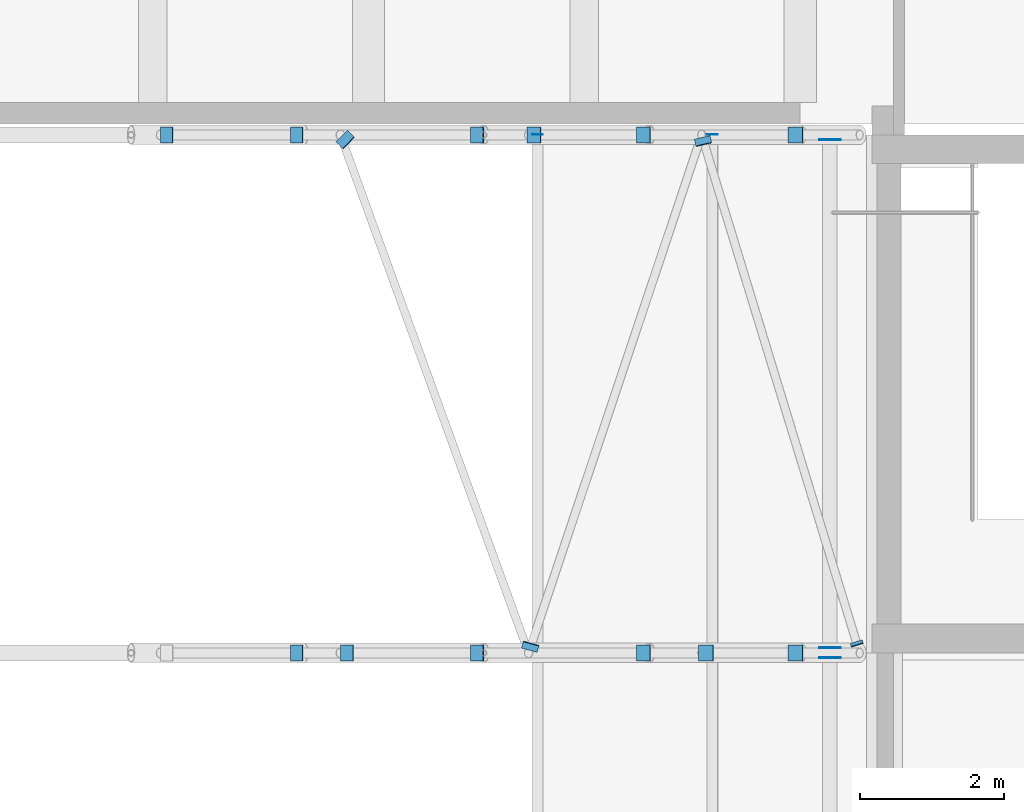
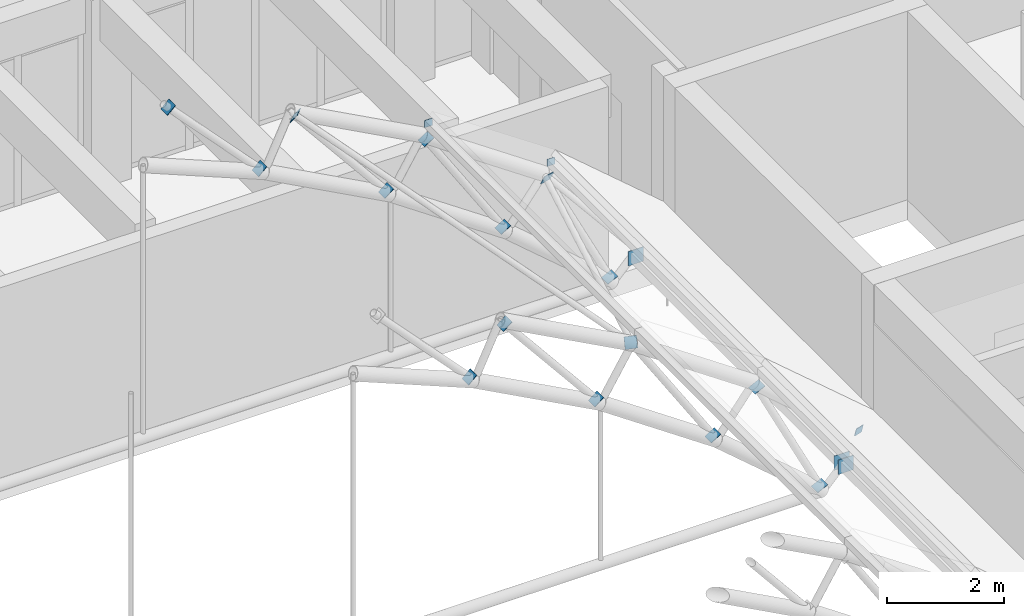
# One storey, part 87 of 101: 21 discrete accessories.
"""IFC4 building model written with IfcOpenShell, lengths in metres."""

from ifc_helpers import new_model, si_unit, direction, frame, origin, origin_2d, place, context, subcontext, project, spatial, rectangle, extrude, material, material_profile, profile_set, type_object, element, save


model = new_model("IFC4")

# Units and contexts
model_context = context("Model", 3, precision=1e-05, world=origin(), true_north=direction((0.0, 1.0)))
body_context = subcontext(model_context, "Body", "Model", "MODEL_VIEW")
ifc_project = project(units=[si_unit("LENGTHUNIT", "METRE"), si_unit("AREAUNIT", "SQUARE_METRE"), si_unit("VOLUMEUNIT", "CUBIC_METRE"), si_unit("PLANEANGLEUNIT", "RADIAN"), si_unit("MASSUNIT", "GRAM", prefix="KILO")], contexts=[model_context])

# Site, building, storey
site_placement = place(None, origin())
site = spatial("IfcSite", under=ifc_project, at=site_placement, CompositionType="ELEMENT")
building_placement = place(site_placement, origin())
building = spatial("IfcBuilding", under=site, at=building_placement, Name="Laocheng Heights Fire and Rescue Headquarters", CompositionType="ELEMENT")
storey_placement = place(building_placement, frame((0.0, 0.0, 8.39990234375)))
storey = spatial("IfcBuildingStorey", under=building, at=storey_placement, Name="L02", CompositionType="ELEMENT", Elevation=8.39990234375)

# Discrete accessories
ifc_material_1 = material(Name="Steel Q355B", Category="steel")
ifc_material_profile_1 = material_profile(ifc_material_1, rectangle(XDim=0.14990234375, YDim=0.14990234375, at=origin_2d()), Name="END CAP PLATE 150 x 150 x 8 FOR BAY ROOF PURLIN SHS 150x150x8")
ifc_profile_set_1 = profile_set([ifc_material_profile_1], Name="Steel Q355B")
discrete_accessory_type_1 = type_object("IfcDiscreteAccessoryType", Name="END CAP PLATE 150 x 150 x 8 FOR BAY ROOF PURLIN SHS 150x150x8", PredefinedType="BRACKET", material=ifc_profile_set_1)
for number, where, z_axis, x_axis, name in (
    (1, (50.35009765625, 21.60009765625, 4.60595703125), (0.0, 1.0, 0.0), (-1.0, 0.0, 0.0), "Cap plate at Purlin 15.3 end 2"),
    (2, (52.778564453125, 21.60009765625, 2.941162109375), (0.0, 1.0, 0.0), (-1.0, 0.0, 0.0), "Cap plate at Purlin 16.3 end 2"),
):
    element("IfcDiscreteAccessory", number, at=place(storey_placement, frame(where, z_axis=z_axis, x_axis=x_axis)), inside=storey, type_object=discrete_accessory_type_1, Name=name, PredefinedType="BRACKET", context=body_context, shape_type="SweptSolid", body=[
        extrude(rectangle(XDim=0.14990234375, YDim=0.14990234375, at=origin_2d()), origin(), (0.0, 0.0, 1.0), 0.0078125),
    ])
ifc_material_2 = material(Name="Steel Q355B, dark grey painted", Category="steel")
ifc_material_profile_2 = material_profile(ifc_material_2, rectangle(XDim=0.175048828125, YDim=0.175048828125, at=origin_2d()), Name="GUSSET PLATE 175 x 175 x 12 FOR BAY ROOF BRACE CHS 114.3x5")
ifc_profile_set_2 = profile_set([ifc_material_profile_2], Name="Steel Q355B, dark grey painted")
discrete_accessory_type_2 = type_object("IfcDiscreteAccessoryType", Name="GUSSET PLATE 175 x 175 x 12 FOR BAY ROOF BRACE CHS 114.3x5", PredefinedType="BRACKET", material=ifc_profile_set_2)
discrete_accessory_1_placement = place(storey_placement, frame((54.7900390625, 14.5244140625, 0.901611328125), z_axis=(-0.287880642403, 0.925330636297, 0.246754836346), x_axis=(-0.954856776331, -0.297066552636, 0.0)))
element("IfcDiscreteAccessory", 3, at=discrete_accessory_1_placement, inside=storey, type_object=discrete_accessory_type_2, Name="End plate at BR32 end 1", PredefinedType="BRACKET", context=body_context, shape_type="SweptSolid", body=[
    extrude(rectangle(XDim=0.175048828125, YDim=0.175048828125, at=origin_2d()), origin(), (0.0, 0.0, 1.0), 0.011962890625),
])
ifc_material_3 = material(Name="Steel Q355B, dark grey painted", Category="steel")
ifc_material_profile_3 = material_profile(ifc_material_3, rectangle(XDim=0.22509765625, YDim=0.22509765625, at=origin_2d()), Name="GUSSET PLATE 225 x 225 x 12 FOR BAY ROOF DIAG CHS 139.7x6")
ifc_profile_set_3 = profile_set([ifc_material_profile_3], Name="Steel Q355B, dark grey painted")
discrete_accessory_type_3 = type_object("IfcDiscreteAccessoryType", Name="GUSSET PLATE 225 x 225 x 12 FOR BAY ROOF DIAG CHS 139.7x6", PredefinedType="BRACKET", material=ifc_profile_set_3)
for number, where, z_axis, x_axis, name in (
    (4, (47.008056640625, 14.39990234375, 4.819580078125), (-0.696785684263, 0.0, 0.717279380859), (0.0, -1.0, 0.0), "End plate at TR3-DG13 end 1"),
    (5, (49.51513671875, 14.39990234375, 3.480712890625), (-0.632126727472, 0.0, 0.774865020772), (0.0, -1.0, 0.0), "End plate at TR3-DG14 end 1"),
    (6, (47.702392578125, 14.39990234375, 5.695068359375), (-0.632126727472, 0.0, 0.774865020772), (0.0, -1.0, 0.0), "End plate at TR3-DG14 end 2"),
    (7, (51.827392578125, 14.39990234375, 1.910888671875), (-0.535542025358, 0.0, 0.84450857845), (0.0, -1.0, 0.0), "End plate at TR3-DG15 end 1"),
    (8, (53.940185546875, 14.39990234375, 0.1201171875), (-0.4472135955, 0.0, 0.894427191), (0.0, -1.0, 0.0), "End plate at TR3-DG16 end 1"),
    (9, (52.696044921875, 14.39990234375, 2.618408203125), (-0.4472135955, 0.0, 0.894427191), (0.0, -1.0, 0.0), "End plate at TR3-DG16 end 2"),
    (10, (47.008056640625, 21.60009765625, 4.819580078125), (-0.696785684263, 0.0, 0.717279380859), (0.0, -1.0, 0.0), "End plate at TR4-DG13 end 1"),
):
    element("IfcDiscreteAccessory", number, at=place(storey_placement, frame(where, z_axis=z_axis, x_axis=x_axis)), inside=storey, type_object=discrete_accessory_type_3, Name=name, PredefinedType="BRACKET", context=body_context, shape_type="SweptSolid", body=[
        extrude(rectangle(XDim=0.22509765625, YDim=0.22509765625, at=origin_2d()), origin(), (0.0, 0.0, 1.0), 0.011962890625),
    ])
discrete_accessory_2_placement = place(storey_placement, frame((45.2001953125, 21.60009765625, 6.73291015625), z_axis=(-0.686623532964, 0.0, 0.72701315255), x_axis=(0.0, -1.0, 0.0)))
element("IfcDiscreteAccessory", 11, at=discrete_accessory_2_placement, inside=storey, type_object=discrete_accessory_type_3, Name="End plate at TR4-DG13 end 2", PredefinedType="BRACKET", context=body_context, shape_type="SweptSolid", body=[
    extrude(rectangle(XDim=0.22509765625, YDim=0.22509765625, at=origin_2d()), origin(), (0.0, 0.0, 1.0), 0.01220703125),
])
for number, where, z_axis, x_axis, name in (
    (12, (49.51513671875, 21.60009765625, 3.480712890625), (-0.632126727472, 0.0, 0.774865020772), (0.0, -1.0, 0.0), "End plate at TR4-DG14 end 1"),
    (13, (51.827392578125, 21.60009765625, 1.910888671875), (-0.535542025358, 0.0, 0.84450857845), (0.0, -1.0, 0.0), "End plate at TR4-DG15 end 1"),
    (14, (50.303955078125, 21.60009765625, 4.2783203125), (-0.535542025358, 0.0, 0.84450857845), (0.0, -1.0, 0.0), "End plate at TR4-DG15 end 2"),
    (15, (53.940185546875, 21.60009765625, 0.1201171875), (-0.4472135955, 0.0, 0.894427191), (0.0, -1.0, 0.0), "End plate at TR4-DG16 end 1"),
):
    element("IfcDiscreteAccessory", number, at=place(storey_placement, frame(where, z_axis=z_axis, x_axis=x_axis)), inside=storey, type_object=discrete_accessory_type_3, Name=name, PredefinedType="BRACKET", context=body_context, shape_type="SweptSolid", body=[
        extrude(rectangle(XDim=0.22509765625, YDim=0.22509765625, at=origin_2d()), origin(), (0.0, 0.0, 1.0), 0.011962890625),
    ])
ifc_material_4 = material(Name="Steel Q355B, dark grey painted", Category="steel")
ifc_material_profile_4 = material_profile(ifc_material_4, rectangle(XDim=0.300048828125, YDim=0.300048828125, at=origin_2d()), Name="GUSSET PLATE 300 x 300 x 12 FOR BAY ROOF EAVES SHS 200x200x8")
ifc_profile_set_4 = profile_set([ifc_material_profile_4], Name="Steel Q355B, dark grey painted")
discrete_accessory_type_4 = type_object("IfcDiscreteAccessoryType", Name="GUSSET PLATE 300 x 300 x 12 FOR BAY ROOF EAVES SHS 200x200x8", PredefinedType="BRACKET", material=ifc_profile_set_4)
discrete_accessory_3_placement = place(storey_placement, frame((54.4140625, 14.4658203125, 0.4345703125), z_axis=(0.0, 1.0, 0.0), x_axis=(-1.0, 0.0, 0.0)))
element("IfcDiscreteAccessory", 16, at=discrete_accessory_3_placement, inside=storey, type_object=discrete_accessory_type_4, Name="End plate at ES6 end 1", PredefinedType="BRACKET", context=body_context, shape_type="SweptSolid", body=[
    extrude(rectangle(XDim=0.300048828125, YDim=0.300048828125, at=origin_2d()), origin(), (0.0, 0.0, 1.0), 0.011962890625),
])
ifc_material_5 = material(Name="Steel Q355B, dark grey painted", Category="steel")
ifc_material_profile_5 = material_profile(ifc_material_5, rectangle(XDim=0.300048828125, YDim=0.300048828125, at=origin_2d()), Name="GUSSET PLATE 300 x 300 x 13 FOR BAY ROOF EAVES SHS 200x200x8")
ifc_profile_set_5 = profile_set([ifc_material_profile_5], Name="Steel Q355B, dark grey painted")
discrete_accessory_type_5 = type_object("IfcDiscreteAccessoryType", Name="GUSSET PLATE 300 x 300 x 13 FOR BAY ROOF EAVES SHS 200x200x8", PredefinedType="BRACKET", material=ifc_profile_set_5)
for number, where, z_axis, x_axis, name in (
    (17, (54.4140625, 14.32421875, 0.4345703125), (0.0, 1.0, 0.0), (-1.0, 0.0, 0.0), "End plate at ES5 end 2"),
    (18, (54.4140625, 21.524169921875, 0.4345703125), (0.0, 1.0, 0.0), (-1.0, 0.0, 0.0), "End plate at ES6 end 2"),
):
    element("IfcDiscreteAccessory", number, at=place(storey_placement, frame(where, z_axis=z_axis, x_axis=x_axis)), inside=storey, type_object=discrete_accessory_type_5, Name=name, PredefinedType="BRACKET", context=body_context, shape_type="SweptSolid", body=[
        extrude(rectangle(XDim=0.300048828125, YDim=0.300048828125, at=origin_2d()), origin(), (0.0, 0.0, 1.0), 0.012939453125),
    ])
ifc_material_6 = material(Name="Steel Q355B, dark grey painted", Category="steel")
ifc_material_profile_6 = material_profile(ifc_material_6, rectangle(XDim=0.22509765625, YDim=0.22509765625, at=origin_2d()), Name="NODE PLATE 225 x 225 x 12 FOR BAY ROOF BRACE CHS 114.3x5")
ifc_profile_set_6 = profile_set([ifc_material_profile_6], Name="Steel Q355B, dark grey painted")
discrete_accessory_type_6 = type_object("IfcDiscreteAccessoryType", Name="NODE PLATE 225 x 225 x 12 FOR BAY ROOF BRACE CHS 114.3x5", PredefinedType="BRACKET", material=ifc_profile_set_6)
discrete_accessory_4_placement = place(storey_placement, frame((50.24755859375, 14.481201171875, 4.36279296875), z_axis=(0.245306974849, 0.879016659877, -0.408844958082), x_axis=(-0.963196301333, 0.268798967814, 0.0)))
element("IfcDiscreteAccessory", 19, at=discrete_accessory_4_placement, inside=storey, type_object=discrete_accessory_type_6, Name="Node plate at BR30 end 1, BR31 end 1, TR3-DG15 end 2", PredefinedType="BRACKET", context=body_context, shape_type="SweptSolid", body=[
    extrude(rectangle(XDim=0.22509765625, YDim=0.22509765625, at=origin_2d()), origin(), (0.0, 0.0, 1.0), 0.011962890625),
])
discrete_accessory_5_placement = place(storey_placement, frame((47.67431640625, 21.538818359375, 5.744873046875), z_axis=(0.583984690219, -0.563847287108, -0.583984690219), x_axis=(0.6945945137, 0.719401460617, 0.0)))
element("IfcDiscreteAccessory", 20, at=discrete_accessory_5_placement, inside=storey, type_object=discrete_accessory_type_6, Name="Node plate at BR30 end 2, TR4-DG14 end 2", PredefinedType="BRACKET", context=body_context, shape_type="SweptSolid", body=[
    extrude(rectangle(XDim=0.22509765625, YDim=0.22509765625, at=origin_2d()), origin(), (0.0, 0.0, 1.0), 0.01220703125),
])
discrete_accessory_6_placement = place(storey_placement, frame((52.6494140625, 21.518798828125, 2.70849609375), z_axis=(0.204550737432, -0.879568170959, -0.429556548608), x_axis=(0.974008027039, 0.22651349466, 0.0)))
element("IfcDiscreteAccessory", 21, at=discrete_accessory_6_placement, inside=storey, type_object=discrete_accessory_type_6, Name="Node plate at BR31 end 2, BR32 end 2, TR4-DG16 end 2", PredefinedType="BRACKET", context=body_context, shape_type="SweptSolid", body=[
    extrude(rectangle(XDim=0.22509765625, YDim=0.22509765625, at=origin_2d()), origin(), (0.0, 0.0, 1.0), 0.011962890625),
])

save(model, "model.ifc")
